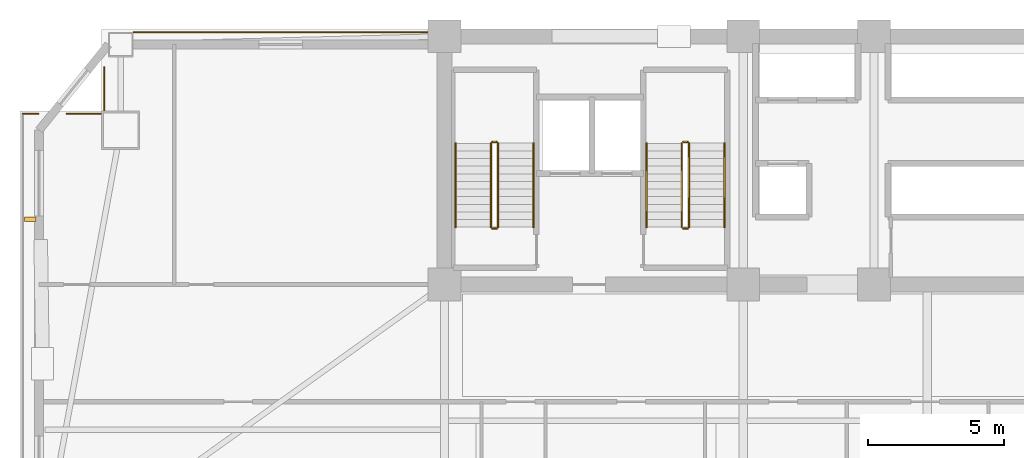
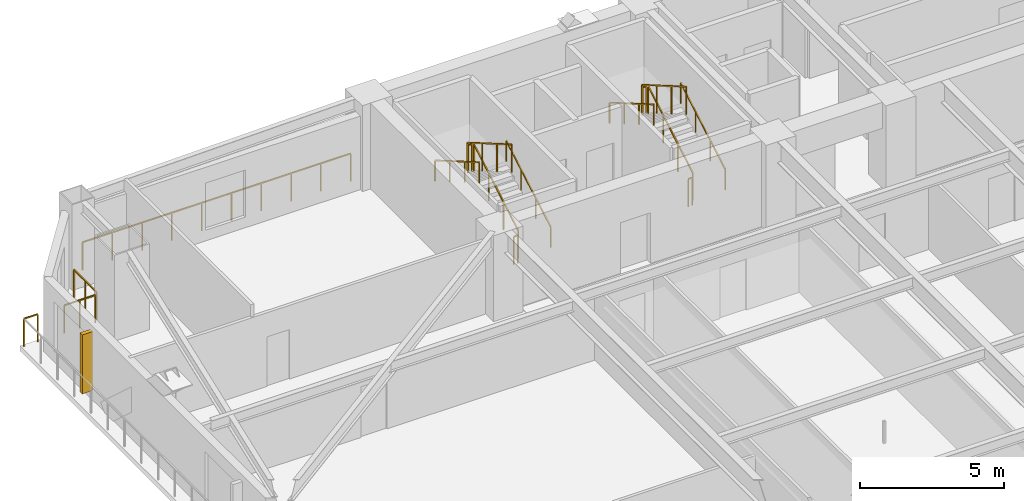
# One storey, part 14 of 15: 16 railings, 1 shading device.
"""IFC4 building model written with IfcOpenShell, lengths in metres."""

import ifcopenshell
import ifcopenshell.guid

model = None  # the IFC model being written
_history = None  # IfcOwnerHistory: only IFC2X3 demands one
_inside = {}  # id of a spatial element -> (the spatial element, [elements in it])
_under = {}  # id of a project, library or spatial element -> (it, [spatial elements below it])
_declared = {}  # id of a project -> (the project, [libraries it declares])
_typed = {}  # id of a type object -> (the type object, [elements of that type])
_made_of = {}  # id of a material, layer set ... -> (it, [elements and type objects made of it])


def new_model(schema):
    """Start an empty IFC model of exactly this schema.

    Asked for "IFC4X3", IfcOpenShell would pick the latest addendum, in which some entities
    have other attributes; the version numbers below select the first issue.
    IFC2X3 requires an IfcOwnerHistory on every rooted entity: one is made here for all.
    """
    global model, _history
    if schema == "IFC4X3":
        model = ifcopenshell.file(schema_version=(4, 3, 0, 0))
    else:
        model = ifcopenshell.file(schema=schema)
    _inside.clear()
    _under.clear()
    _declared.clear()
    _typed.clear()
    _made_of.clear()
    _history = None
    if model.schema == "IFC2X3":
        org = make("IfcOrganization", Name="unknown")
        user = make(
            "IfcPersonAndOrganization",
            ThePerson=make("IfcPerson", FamilyName="unknown"),
            TheOrganization=org,
        )
        app = make(
            "IfcApplication",
            ApplicationDeveloper=org,
            Version="unknown",
            ApplicationFullName="unknown",
            ApplicationIdentifier="unknown",
        )
        _history = make(
            "IfcOwnerHistory",
            OwningUser=user,
            OwningApplication=app,
            ChangeAction="ADDED",
            CreationDate=0,
        )
    return model


def make(cls, **values):
    """One entity of the class cls with the attributes given. An attribute that is None is left unset."""
    return model.create_entity(
        cls, **{name: value for name, value in values.items() if value is not None}
    )


def rooted(cls, **values):
    """An entity with a GlobalId (a new one), such as an element, a storey or a relation."""
    return make(cls, GlobalId=ifcopenshell.guid.new(), OwnerHistory=_history, **values)


def si_unit(unit_type, name, prefix=None):
    """IfcSIUnit, for example si_unit("LENGTHUNIT", "METRE", prefix="MILLI")."""
    return make("IfcSIUnit", UnitType=unit_type, Prefix=prefix, Name=name)


def assignment(units):
    """IfcUnitAssignment: the units of a project."""
    return None if units is None else make("IfcUnitAssignment", Units=units)


def point(xyz):
    """IfcCartesianPoint."""
    return None if xyz is None else make("IfcCartesianPoint", Coordinates=xyz)


def direction(xyz):
    """IfcDirection."""
    return None if xyz is None else make("IfcDirection", DirectionRatios=xyz)


def frame(location, z_axis=None, x_axis=None):
    """IfcAxis2Placement3D, a coordinate frame: its origin and axes. An axis left out is left unset."""
    return make(
        "IfcAxis2Placement3D",
        Location=point(location),
        Axis=direction(z_axis),
        RefDirection=direction(x_axis),
    )


def frame_2d(location, x_axis=None):
    """IfcAxis2Placement2D, a coordinate frame in the plane: its origin and x axis."""
    return make(
        "IfcAxis2Placement2D", Location=point(location), RefDirection=direction(x_axis)
    )


def origin():
    """The frame at (0, 0, 0) with its axes left unset."""
    return frame((0.0, 0.0, 0.0))


def origin_2d():
    """The frame at (0, 0) in the plane with its x axis left unset."""
    return frame_2d((0.0, 0.0))


def place(relative_to, where):
    """IfcLocalPlacement: puts the frame where relative to a parent placement (None: the world)."""
    return make(
        "IfcLocalPlacement", PlacementRelTo=relative_to, RelativePlacement=where
    )


def context(
    kind, dimensions, precision=None, world=None, true_north=None, identifier=None
):
    """IfcGeometricRepresentationContext, for example the 3D "Model" context."""
    return make(
        "IfcGeometricRepresentationContext",
        ContextIdentifier=identifier,
        ContextType=kind,
        CoordinateSpaceDimension=dimensions,
        Precision=precision,
        WorldCoordinateSystem=world,
        TrueNorth=true_north,
    )


def subcontext(parent, identifier, kind, view, scale=None):
    """IfcGeometricRepresentationSubContext, for example "Body" below "Model"."""
    return make(
        "IfcGeometricRepresentationSubContext",
        ContextIdentifier=identifier,
        ContextType=kind,
        ParentContext=parent,
        TargetScale=scale,
        TargetView=view,
    )


def project(units=None, contexts=None):
    """IfcProject with its units and contexts."""
    return rooted(
        "IfcProject",
        Name="project",
        RepresentationContexts=contexts,
        UnitsInContext=assignment(units),
    )


def spatial(cls, under=None, at=None, **own):
    """A site, building, storey or space (cls), placed at a placement, below another one or the project."""
    s = rooted(cls, ObjectPlacement=at, **own)
    if under is not None:
        _under.setdefault(under.id(), (under, []))[1].append(s)
    return s


def profile(cls, at=None, kind="AREA", **sizes):
    """A parametric profile (cls). Its sizes go by their IFC names, for example OverallWidth=200.0."""
    return make(cls, ProfileType=kind, Position=at, **sizes)


def rectangle(**sizes):
    """IfcRectangleProfileDef."""
    return profile("IfcRectangleProfileDef", **sizes)


def extrude(swept, where, along, depth):
    """IfcExtrudedAreaSolid: the profile swept, set in the frame where, extruded along a direction by depth."""
    return make(
        "IfcExtrudedAreaSolid",
        SweptArea=swept,
        Position=where,
        ExtrudedDirection=direction(along),
        Depth=depth,
    )


def shape(context_of_items, identifier, shape_type, items):
    """IfcShapeRepresentation: the items that make up one representation, for example the "Body"."""
    return make(
        "IfcShapeRepresentation",
        ContextOfItems=context_of_items,
        RepresentationIdentifier=identifier,
        RepresentationType=shape_type,
        Items=items,
    )


def source(mapping_origin, context_of_items, identifier, shape_type, items):
    """IfcRepresentationMap: a shape defined once, which mapped items show again and again."""
    return make(
        "IfcRepresentationMap",
        MappingOrigin=mapping_origin,
        MappedRepresentation=shape(context_of_items, identifier, shape_type, items),
    )


def transform(
    local_origin,
    x_axis=None,
    y_axis=None,
    z_axis=None,
    scale=None,
    scale2=None,
    scale3=None,
    uniform=True,
):
    """IfcCartesianTransformationOperator3D, or its non-uniform kind. x_axis, y_axis, z_axis: its Axis1, 2, 3."""
    if uniform:
        return make(
            "IfcCartesianTransformationOperator3D",
            Axis1=direction(x_axis),
            Axis2=direction(y_axis),
            LocalOrigin=point(local_origin),
            Scale=scale,
            Axis3=direction(z_axis),
        )
    return make(
        "IfcCartesianTransformationOperator3DnonUniform",
        Axis1=direction(x_axis),
        Axis2=direction(y_axis),
        LocalOrigin=point(local_origin),
        Scale=scale,
        Axis3=direction(z_axis),
        Scale2=scale2,
        Scale3=scale3,
    )


def mapped(mapping_source, mapping_target):
    """IfcMappedItem: shows the shape of a source again, moved by a transform."""
    return make(
        "IfcMappedItem", MappingSource=mapping_source, MappingTarget=mapping_target
    )


def material(Name=None, Category=None):
    """IfcMaterial."""
    return make("IfcMaterial", Name=Name, Category=Category)


def made_of(thing, what):
    """Note that an element or type object is made of a material, layer set ...; save() writes the relation."""
    if what is not None:
        _made_of.setdefault(what.id(), (what, []))[1].append(thing)
    return thing


def type_object(cls, material=None, **own):
    """A type object (cls), such as IfcWallType, which elements share."""
    return made_of(rooted(cls, **own), material)


def element(
    cls,
    number,
    at=None,
    inside=None,
    cuts=None,
    type_object=None,
    material=None,
    context=None,
    identifier="Body",
    shape_type=None,
    held_by="IfcProductDefinitionShape",
    body=None,
    shapes=None,
    **own,
):
    """One element of the class cls, such as IfcWall. Its Tag is "e" and its number.

    at: its placement. inside: the storey or other place that contains it. cuts: it is an
    opening in that element (IfcRelVoidsElement). A single representation is given by context,
    identifier, shape_type and body (its items); several are given by shapes. held_by: the class
    of the entity that holds the representations. save() writes the other relations.
    """
    e = rooted(cls, Tag="e%d" % number, ObjectPlacement=at, **own)
    if body is not None:
        shapes = [shape(context, identifier, shape_type, body)]
    if shapes is not None:
        e.Representation = make(held_by, Representations=shapes)
    if inside is not None:
        _inside.setdefault(inside.id(), (inside, []))[1].append(e)
    if cuts is not None:
        rooted(
            "IfcRelVoidsElement", RelatingBuildingElement=cuts, RelatedOpeningElement=e
        )
    if type_object is not None:
        _typed.setdefault(type_object.id(), (type_object, []))[1].append(e)
    return made_of(e, material)


def aggregate(whole, parts):
    """IfcRelAggregates: a whole, such as a stair, and the parts it consists of."""
    return rooted("IfcRelAggregates", RelatingObject=whole, RelatedObjects=parts)


def save(model, path):
    """Write the relations noted so far, then the file.

    IfcRelAggregates (storeys below a building ...), IfcRelContainedInSpatialStructure (elements
    in a storey), IfcRelDefinesByType, IfcRelAssociatesMaterial and IfcRelDeclares: one each for
    every whole, place, type object, material and project.
    """
    for whole, parts in _under.values():
        aggregate(whole, parts)
    for where, things in _inside.values():
        rooted(
            "IfcRelContainedInSpatialStructure",
            RelatedElements=things,
            RelatingStructure=where,
        )
    for kind, things in _typed.values():
        rooted("IfcRelDefinesByType", RelatedObjects=things, RelatingType=kind)
    for what, things in _made_of.values():
        rooted("IfcRelAssociatesMaterial", RelatedObjects=things, RelatingMaterial=what)
    for by, libraries in _declared.values():
        rooted("IfcRelDeclares", RelatingContext=by, RelatedDefinitions=libraries)
    model.write(path)


model = new_model("IFC4")

# Units and contexts
model_context = context("Model", 3, precision=1e-05, world=origin(), true_north=direction((0.0, 1.0)))
body_context = subcontext(model_context, "Body", "Model", "MODEL_VIEW")
ifc_project = project(units=[si_unit("LENGTHUNIT", "METRE"), si_unit("AREAUNIT", "SQUARE_METRE"), si_unit("VOLUMEUNIT", "CUBIC_METRE"), si_unit("PLANEANGLEUNIT", "RADIAN"), si_unit("MASSUNIT", "GRAM", prefix="KILO")], contexts=[model_context])

# Site, building, storey
site_placement = place(None, origin())
site = spatial("IfcSite", under=ifc_project, at=site_placement, CompositionType="ELEMENT")
building_placement = place(site_placement, origin())
building = spatial("IfcBuilding", under=site, at=building_placement, Name="Giltprow Tower", CompositionType="ELEMENT")
storey_placement = place(building_placement, frame((0.0, 0.0, 127.0)))
storey = spatial("IfcBuildingStorey", under=building, at=storey_placement, Name="L31", CompositionType="ELEMENT", Elevation=127.0)

# Railings
ifc_material = material(Name="Anodized bronze", Category="metal")
railing_type_1 = type_object("IfcRailingType", Name="RAIL-BALC-GUARD-1200", PredefinedType="BALUSTRADE", material=ifc_material)
railing_1_placement = place(storey_placement, frame((4.37890625, 43.708984375, 0.0)))
element("IfcRailing", 1, at=railing_1_placement, inside=storey, type_object=railing_type_1, Name="L31 Corner Apron Edge Balustrade 6", PredefinedType="BALUSTRADE", context=body_context, shape_type="SweptSolid", body=[
    extrude(rectangle(XDim=0.048095703125, YDim=0.048095703125, at=origin_2d()), frame((0.0, 0.0, 1.17578125), z_axis=(1.0, 0.0, 0.0), x_axis=(0.0, 1.0, 0.0)), (0.0, 0.0, 1.0), 0.55810546875),
    extrude(rectangle(XDim=0.0419921875, YDim=0.0419921875, at=origin_2d()), origin(), (0.0, 0.0, 1.0), 1.15185546875),
    extrude(rectangle(XDim=0.0419921875, YDim=0.0419921875, at=origin_2d()), frame((0.55810546875, 0.0, 0.0)), (0.0, 0.0, 1.0), 1.15185546875),
])
railing_2_placement = place(storey_placement, frame((5.991943359375, 43.708984375, 0.0)))
element("IfcRailing", 2, at=railing_2_placement, inside=storey, type_object=railing_type_1, Name="L31 Corner Apron Edge Balustrade 7", PredefinedType="BALUSTRADE", context=body_context, shape_type="SweptSolid", body=[
    extrude(rectangle(XDim=0.048095703125, YDim=0.048095703125, at=origin_2d()), frame((0.0, 0.0, 1.17578125), z_axis=(1.0, 0.0, 0.0), x_axis=(0.0, 1.0, 0.0)), (0.0, 0.0, 1.0), 1.2431640625),
    extrude(rectangle(XDim=0.0419921875, YDim=0.0419921875, at=origin_2d()), origin(), (0.0, 0.0, 1.0), 1.15185546875),
    extrude(rectangle(XDim=0.0419921875, YDim=0.0419921875, at=origin_2d()), frame((0.62158203125, 0.0, 0.0)), (0.0, 0.0, 1.0), 1.15185546875),
    extrude(rectangle(XDim=0.0419921875, YDim=0.0419921875, at=origin_2d()), frame((1.2431640625, 0.0, 0.0)), (0.0, 0.0, 1.0), 1.15185546875),
])
railing_3_placement = place(storey_placement, frame((7.3701171875, 43.843994140625, 0.0)))
element("IfcRailing", 3, at=railing_3_placement, inside=storey, type_object=railing_type_1, Name="L31 Corner Apron Edge Balustrade 8", PredefinedType="BALUSTRADE", context=body_context, shape_type="SweptSolid", body=[
    extrude(rectangle(XDim=0.048095703125, YDim=0.048095703125, at=origin_2d()), frame((0.0, 0.0, 1.17578125), z_axis=(0.0, 1.0, 0.0), x_axis=(-1.0, 0.0, 0.0)), (0.0, 0.0, 1.0), 1.569091796875),
    extrude(rectangle(XDim=0.0419921875, YDim=0.0419921875, at=origin_2d()), origin(), (0.0, 0.0, 1.0), 1.15185546875),
    extrude(rectangle(XDim=0.0419921875, YDim=0.0419921875, at=origin_2d()), frame((0.0, 0.78466796875, 0.0)), (0.0, 0.0, 1.0), 1.15185546875),
    extrude(rectangle(XDim=0.0419921875, YDim=0.0419921875, at=origin_2d()), frame((0.0, 1.569091796875, 0.0)), (0.0, 0.0, 1.0), 1.15185546875),
])
railing_4_placement = place(storey_placement, frame((8.455078125, 46.699951171875, 0.0)))
element("IfcRailing", 4, at=railing_4_placement, inside=storey, type_object=railing_type_1, Name="L31 Corner Apron Edge Balustrade 9", PredefinedType="BALUSTRADE", context=body_context, shape_type="SweptSolid", body=[
    extrude(rectangle(XDim=0.048095703125, YDim=0.048095703125, at=origin_2d()), frame((0.0, 0.0, 1.17578125), z_axis=(1.0, 0.0, 0.0), x_axis=(0.0, 1.0, 0.0)), (0.0, 0.0, 1.0), 10.760009765625),
    extrude(rectangle(XDim=0.0419921875, YDim=0.0419921875, at=origin_2d()), origin(), (0.0, 0.0, 1.0), 1.15185546875),
    extrude(rectangle(XDim=0.0419921875, YDim=0.0419921875, at=origin_2d()), frame((1.195556640625, 0.0, 0.0)), (0.0, 0.0, 1.0), 1.15185546875),
    extrude(rectangle(XDim=0.0419921875, YDim=0.0419921875, at=origin_2d()), frame((2.39111328125, 0.0, 0.0)), (0.0, 0.0, 1.0), 1.15185546875),
    extrude(rectangle(XDim=0.0419921875, YDim=0.0419921875, at=origin_2d()), frame((3.586669921875, 0.0, 0.0)), (0.0, 0.0, 1.0), 1.15185546875),
    extrude(rectangle(XDim=0.0419921875, YDim=0.0419921875, at=origin_2d()), frame((4.7822265625, 0.0, 0.0)), (0.0, 0.0, 1.0), 1.15185546875),
    extrude(rectangle(XDim=0.0419921875, YDim=0.0419921875, at=origin_2d()), frame((5.977783203125, 0.0, 0.0)), (0.0, 0.0, 1.0), 1.15185546875),
    extrude(rectangle(XDim=0.0419921875, YDim=0.0419921875, at=origin_2d()), frame((7.17333984375, 0.0, 0.0)), (0.0, 0.0, 1.0), 1.15185546875),
    extrude(rectangle(XDim=0.0419921875, YDim=0.0419921875, at=origin_2d()), frame((8.368896484375, 0.0, 0.0)), (0.0, 0.0, 1.0), 1.15185546875),
    extrude(rectangle(XDim=0.0419921875, YDim=0.0419921875, at=origin_2d()), frame((9.564453125, 0.0, 0.0)), (0.0, 0.0, 1.0), 1.15185546875),
    extrude(rectangle(XDim=0.0419921875, YDim=0.0419921875, at=origin_2d()), frame((10.760009765625, 0.0, 0.0)), (0.0, 0.0, 1.0), 1.15185546875),
])
railing_type_2 = type_object("IfcRailingType", Name="RAIL-STAIR-GUARD-1200", PredefinedType="GUARDRAIL", material=ifc_material)
railing_5_placement = place(storey_placement, frame((21.81005859375, 39.550048828125, 0.16259765625)))
element("IfcRailing", 5, at=railing_5_placement, inside=storey, type_object=railing_type_2, Name="L31 ST-1 stair guard 1", PredefinedType="GUARDRAIL", context=body_context, shape_type="SweptSolid", body=[
    extrude(rectangle(XDim=0.048095703125, YDim=0.048095703125, at=origin_2d()), frame((0.0, 0.0, 1.17578125), z_axis=(0.0, 0.864903211148, 0.501938676878), x_axis=(-1.0, 0.0, 0.0)), (0.0, 0.0, 1.0), 3.560791015625),
    extrude(rectangle(XDim=0.0419921875, YDim=0.0419921875, at=origin_2d()), origin(), (0.0, 0.0, 1.0), 1.15185546875),
    extrude(rectangle(XDim=0.0419921875, YDim=0.0419921875, at=origin_2d()), frame((0.0, 1.026611328125, 0.595703125)), (0.0, 0.0, 1.0), 1.15185546875),
    extrude(rectangle(XDim=0.0419921875, YDim=0.0419921875, at=origin_2d()), frame((0.0, 2.05322265625, 1.191650390625)), (0.0, 0.0, 1.0), 1.15185546875),
    extrude(rectangle(XDim=0.0419921875, YDim=0.0419921875, at=origin_2d()), frame((0.0, 3.079833984375, 1.787353515625)), (0.0, 0.0, 1.0), 1.15185546875),
])
railing_6_placement = place(storey_placement, frame((21.760009765625, 42.679931640625, 1.949951171875)))
element("IfcRailing", 6, at=railing_6_placement, inside=storey, type_object=railing_type_2, Name="L31 ST-1 stair guard 2", PredefinedType="GUARDRAIL", context=body_context, shape_type="SweptSolid", body=[
    extrude(rectangle(XDim=0.048095703125, YDim=0.048095703125, at=origin_2d()), frame((0.0, 0.0, 1.17578125), z_axis=(-1.0, 0.0, 0.0), x_axis=(0.0, -1.0, 0.0)), (0.0, 0.0, 1.0), 0.159912109375),
    extrude(rectangle(XDim=0.0419921875, YDim=0.0419921875, at=origin_2d()), origin(), (0.0, 0.0, 1.0), 1.15185546875),
    extrude(rectangle(XDim=0.0419921875, YDim=0.0419921875, at=origin_2d()), frame((-0.159912109375, 0.0, 0.0)), (0.0, 0.0, 1.0), 1.15185546875),
])
railing_7_placement = place(storey_placement, frame((21.550048828125, 42.6298828125, 2.112548828125)))
element("IfcRailing", 7, at=railing_7_placement, inside=storey, type_object=railing_type_2, Name="L31 ST-1 stair guard 3", PredefinedType="GUARDRAIL", context=body_context, shape_type="SweptSolid", body=[
    extrude(rectangle(XDim=0.048095703125, YDim=0.048095703125, at=origin_2d()), frame((0.0, 0.0, 1.17578125), z_axis=(0.0, -0.864903211148, 0.501938676878), x_axis=(1.0, 0.0, 0.0)), (0.0, 0.0, 1.0), 3.560791015625),
    extrude(rectangle(XDim=0.0419921875, YDim=0.0419921875, at=origin_2d()), origin(), (0.0, 0.0, 1.0), 1.15185546875),
    extrude(rectangle(XDim=0.0419921875, YDim=0.0419921875, at=origin_2d()), frame((0.0, -1.026611328125, 0.595703125)), (0.0, 0.0, 1.0), 1.15185546875),
    extrude(rectangle(XDim=0.0419921875, YDim=0.0419921875, at=origin_2d()), frame((0.0, -2.05322265625, 1.191650390625)), (0.0, 0.0, 1.0), 1.15185546875),
    extrude(rectangle(XDim=0.0419921875, YDim=0.0419921875, at=origin_2d()), frame((0.0, -3.079833984375, 1.787353515625)), (0.0, 0.0, 1.0), 1.15185546875),
])
railing_8_placement = place(storey_placement, frame((21.760009765625, 39.5, 0.0)))
element("IfcRailing", 8, at=railing_8_placement, inside=storey, type_object=railing_type_2, Name="L31 ST-1 stair guard 4", PredefinedType="GUARDRAIL", context=body_context, shape_type="SweptSolid", body=[
    extrude(rectangle(XDim=0.048095703125, YDim=0.048095703125, at=origin_2d()), frame((0.0, 0.0, 1.17578125), z_axis=(-1.0, 0.0, 0.0), x_axis=(0.0, -1.0, 0.0)), (0.0, 0.0, 1.0), 0.159912109375),
    extrude(rectangle(XDim=0.0419921875, YDim=0.0419921875, at=origin_2d()), origin(), (0.0, 0.0, 1.0), 1.15185546875),
    extrude(rectangle(XDim=0.0419921875, YDim=0.0419921875, at=origin_2d()), frame((-0.159912109375, 0.0, 0.0)), (0.0, 0.0, 1.0), 1.15185546875),
])
railing_9_placement = place(storey_placement, frame((28.81005859375, 39.550048828125, 0.16259765625)))
element("IfcRailing", 9, at=railing_9_placement, inside=storey, type_object=railing_type_2, Name="L31 ST-2 stair guard 1", PredefinedType="GUARDRAIL", context=body_context, shape_type="SweptSolid", body=[
    extrude(rectangle(XDim=0.048095703125, YDim=0.048095703125, at=origin_2d()), frame((0.0, 0.0, 1.17578125), z_axis=(0.0, 0.864903211148, 0.501938676878), x_axis=(-1.0, 0.0, 0.0)), (0.0, 0.0, 1.0), 3.560791015625),
    extrude(rectangle(XDim=0.0419921875, YDim=0.0419921875, at=origin_2d()), origin(), (0.0, 0.0, 1.0), 1.15185546875),
    extrude(rectangle(XDim=0.0419921875, YDim=0.0419921875, at=origin_2d()), frame((0.0, 1.026611328125, 0.595703125)), (0.0, 0.0, 1.0), 1.15185546875),
    extrude(rectangle(XDim=0.0419921875, YDim=0.0419921875, at=origin_2d()), frame((0.0, 2.05322265625, 1.191650390625)), (0.0, 0.0, 1.0), 1.15185546875),
    extrude(rectangle(XDim=0.0419921875, YDim=0.0419921875, at=origin_2d()), frame((0.0, 3.079833984375, 1.787353515625)), (0.0, 0.0, 1.0), 1.15185546875),
])
railing_10_placement = place(storey_placement, frame((28.760009765625, 42.679931640625, 1.949951171875)))
element("IfcRailing", 10, at=railing_10_placement, inside=storey, type_object=railing_type_2, Name="L31 ST-2 stair guard 2", PredefinedType="GUARDRAIL", context=body_context, shape_type="SweptSolid", body=[
    extrude(rectangle(XDim=0.048095703125, YDim=0.048095703125, at=origin_2d()), frame((0.0, 0.0, 1.17578125), z_axis=(-1.0, 0.0, 0.0), x_axis=(0.0, -1.0, 0.0)), (0.0, 0.0, 1.0), 0.159912109375),
    extrude(rectangle(XDim=0.0419921875, YDim=0.0419921875, at=origin_2d()), origin(), (0.0, 0.0, 1.0), 1.15185546875),
    extrude(rectangle(XDim=0.0419921875, YDim=0.0419921875, at=origin_2d()), frame((-0.159912109375, 0.0, 0.0)), (0.0, 0.0, 1.0), 1.15185546875),
])
railing_11_placement = place(storey_placement, frame((28.550048828125, 42.6298828125, 2.112548828125)))
element("IfcRailing", 11, at=railing_11_placement, inside=storey, type_object=railing_type_2, Name="L31 ST-2 stair guard 3", PredefinedType="GUARDRAIL", context=body_context, shape_type="SweptSolid", body=[
    extrude(rectangle(XDim=0.048095703125, YDim=0.048095703125, at=origin_2d()), frame((0.0, 0.0, 1.17578125), z_axis=(0.0, -0.864903211148, 0.501938676878), x_axis=(1.0, 0.0, 0.0)), (0.0, 0.0, 1.0), 3.560791015625),
    extrude(rectangle(XDim=0.0419921875, YDim=0.0419921875, at=origin_2d()), origin(), (0.0, 0.0, 1.0), 1.15185546875),
    extrude(rectangle(XDim=0.0419921875, YDim=0.0419921875, at=origin_2d()), frame((0.0, -1.026611328125, 0.595703125)), (0.0, 0.0, 1.0), 1.15185546875),
    extrude(rectangle(XDim=0.0419921875, YDim=0.0419921875, at=origin_2d()), frame((0.0, -2.05322265625, 1.191650390625)), (0.0, 0.0, 1.0), 1.15185546875),
    extrude(rectangle(XDim=0.0419921875, YDim=0.0419921875, at=origin_2d()), frame((0.0, -3.079833984375, 1.787353515625)), (0.0, 0.0, 1.0), 1.15185546875),
])
railing_12_placement = place(storey_placement, frame((28.760009765625, 39.5, 0.0)))
element("IfcRailing", 12, at=railing_12_placement, inside=storey, type_object=railing_type_2, Name="L31 ST-2 stair guard 4", PredefinedType="GUARDRAIL", context=body_context, shape_type="SweptSolid", body=[
    extrude(rectangle(XDim=0.048095703125, YDim=0.048095703125, at=origin_2d()), frame((0.0, 0.0, 1.17578125), z_axis=(-1.0, 0.0, 0.0), x_axis=(0.0, -1.0, 0.0)), (0.0, 0.0, 1.0), 0.159912109375),
    extrude(rectangle(XDim=0.0419921875, YDim=0.0419921875, at=origin_2d()), origin(), (0.0, 0.0, 1.0), 1.15185546875),
    extrude(rectangle(XDim=0.0419921875, YDim=0.0419921875, at=origin_2d()), frame((-0.159912109375, 0.0, 0.0)), (0.0, 0.0, 1.0), 1.15185546875),
])
railing_type_3 = type_object("IfcRailingType", Name="RAIL-STAIR-HAND-900", PredefinedType="HANDRAIL", material=ifc_material)
railing_13_placement = place(storey_placement, frame((23.110107421875, 39.550048828125, 0.16259765625)))
element("IfcRailing", 13, at=railing_13_placement, inside=storey, type_object=railing_type_3, Name="L31 ST-1 stair handrail 1", PredefinedType="HANDRAIL", context=body_context, shape_type="SweptSolid", body=[
    extrude(rectangle(XDim=0.048095703125, YDim=0.048095703125, at=origin_2d()), frame((0.0, 0.0, 0.8759765625), z_axis=(0.0, 0.864903211148, 0.501938676878), x_axis=(-1.0, 0.0, 0.0)), (0.0, 0.0, 1.0), 3.560791015625),
    extrude(rectangle(XDim=0.0419921875, YDim=0.0419921875, at=origin_2d()), origin(), (0.0, 0.0, 1.0), 0.851806640625),
    extrude(rectangle(XDim=0.0419921875, YDim=0.0419921875, at=origin_2d()), frame((0.0, 1.026611328125, 0.595703125)), (0.0, 0.0, 1.0), 0.851806640625),
    extrude(rectangle(XDim=0.0419921875, YDim=0.0419921875, at=origin_2d()), frame((0.0, 2.05322265625, 1.191650390625)), (0.0, 0.0, 1.0), 0.851806640625),
    extrude(rectangle(XDim=0.0419921875, YDim=0.0419921875, at=origin_2d()), frame((0.0, 3.079833984375, 1.787353515625)), (0.0, 0.0, 1.0), 0.851806640625),
])
railing_14_placement = place(storey_placement, frame((20.25, 42.6298828125, 2.112548828125)))
element("IfcRailing", 14, at=railing_14_placement, inside=storey, type_object=railing_type_3, Name="L31 ST-1 stair handrail 2", PredefinedType="HANDRAIL", context=body_context, shape_type="SweptSolid", body=[
    extrude(rectangle(XDim=0.048095703125, YDim=0.048095703125, at=origin_2d()), frame((0.0, 0.0, 0.8759765625), z_axis=(0.0, -0.864903211148, 0.501938676878), x_axis=(1.0, 0.0, 0.0)), (0.0, 0.0, 1.0), 3.560791015625),
    extrude(rectangle(XDim=0.0419921875, YDim=0.0419921875, at=origin_2d()), origin(), (0.0, 0.0, 1.0), 0.851806640625),
    extrude(rectangle(XDim=0.0419921875, YDim=0.0419921875, at=origin_2d()), frame((0.0, -1.026611328125, 0.595703125)), (0.0, 0.0, 1.0), 0.851806640625),
    extrude(rectangle(XDim=0.0419921875, YDim=0.0419921875, at=origin_2d()), frame((0.0, -2.05322265625, 1.191650390625)), (0.0, 0.0, 1.0), 0.851806640625),
    extrude(rectangle(XDim=0.0419921875, YDim=0.0419921875, at=origin_2d()), frame((0.0, -3.079833984375, 1.787353515625)), (0.0, 0.0, 1.0), 0.851806640625),
])
railing_15_placement = place(storey_placement, frame((30.110107421875, 39.550048828125, 0.16259765625)))
element("IfcRailing", 15, at=railing_15_placement, inside=storey, type_object=railing_type_3, Name="L31 ST-2 stair handrail 1", PredefinedType="HANDRAIL", context=body_context, shape_type="SweptSolid", body=[
    extrude(rectangle(XDim=0.048095703125, YDim=0.048095703125, at=origin_2d()), frame((0.0, 0.0, 0.8759765625), z_axis=(0.0, 0.864903211148, 0.501938676878), x_axis=(-1.0, 0.0, 0.0)), (0.0, 0.0, 1.0), 3.560791015625),
    extrude(rectangle(XDim=0.0419921875, YDim=0.0419921875, at=origin_2d()), origin(), (0.0, 0.0, 1.0), 0.851806640625),
    extrude(rectangle(XDim=0.0419921875, YDim=0.0419921875, at=origin_2d()), frame((0.0, 1.026611328125, 0.595703125)), (0.0, 0.0, 1.0), 0.851806640625),
    extrude(rectangle(XDim=0.0419921875, YDim=0.0419921875, at=origin_2d()), frame((0.0, 2.05322265625, 1.191650390625)), (0.0, 0.0, 1.0), 0.851806640625),
    extrude(rectangle(XDim=0.0419921875, YDim=0.0419921875, at=origin_2d()), frame((0.0, 3.079833984375, 1.787353515625)), (0.0, 0.0, 1.0), 0.851806640625),
])
railing_16_placement = place(storey_placement, frame((27.25, 42.6298828125, 2.112548828125)))
element("IfcRailing", 16, at=railing_16_placement, inside=storey, type_object=railing_type_3, Name="L31 ST-2 stair handrail 2", PredefinedType="HANDRAIL", context=body_context, shape_type="SweptSolid", body=[
    extrude(rectangle(XDim=0.048095703125, YDim=0.048095703125, at=origin_2d()), frame((0.0, 0.0, 0.8759765625), z_axis=(0.0, -0.864903211148, 0.501938676878), x_axis=(1.0, 0.0, 0.0)), (0.0, 0.0, 1.0), 3.560791015625),
    extrude(rectangle(XDim=0.0419921875, YDim=0.0419921875, at=origin_2d()), origin(), (0.0, 0.0, 1.0), 0.851806640625),
    extrude(rectangle(XDim=0.0419921875, YDim=0.0419921875, at=origin_2d()), frame((0.0, -1.026611328125, 0.595703125)), (0.0, 0.0, 1.0), 0.851806640625),
    extrude(rectangle(XDim=0.0419921875, YDim=0.0419921875, at=origin_2d()), frame((0.0, -2.05322265625, 1.191650390625)), (0.0, 0.0, 1.0), 0.851806640625),
    extrude(rectangle(XDim=0.0419921875, YDim=0.0419921875, at=origin_2d()), frame((0.0, -3.079833984375, 1.787353515625)), (0.0, 0.0, 1.0), 0.851806640625),
])

# Shading device
shading_device_type = type_object("IfcShadingDeviceType", Name="SHD-FIN-420", PredefinedType="USERDEFINED", material=ifc_material)
shared_shape = source(origin(), body_context, "Body", "SweptSolid", [
    extrude(rectangle(XDim=0.419921875, YDim=0.159912109375, at=origin_2d()), origin(), (0.0, 0.0, 1.0), 2.5),
])
shading_device_placement = place(storey_placement, frame((4.658935546875, 39.846923828125, 0.35009765625), z_axis=(0.0, 0.0, 1.0), x_axis=(1.0, 0.0, 0.0)))
element("IfcShadingDevice", 17, at=shading_device_placement, inside=storey, type_object=shading_device_type, Name="L31 W Bronze Vertical Fin 2-2", ObjectType="FIN", PredefinedType="USERDEFINED", context=body_context, shape_type="MappedRepresentation", body=[
    mapped(shared_shape, transform((0.0, 0.0, 0.0), x_axis=(1.0, 0.0, 0.0), y_axis=(0.0, 1.0, 0.0), z_axis=(0.0, 0.0, 1.0), scale=1.0)),
])

save(model, "model.ifc")
